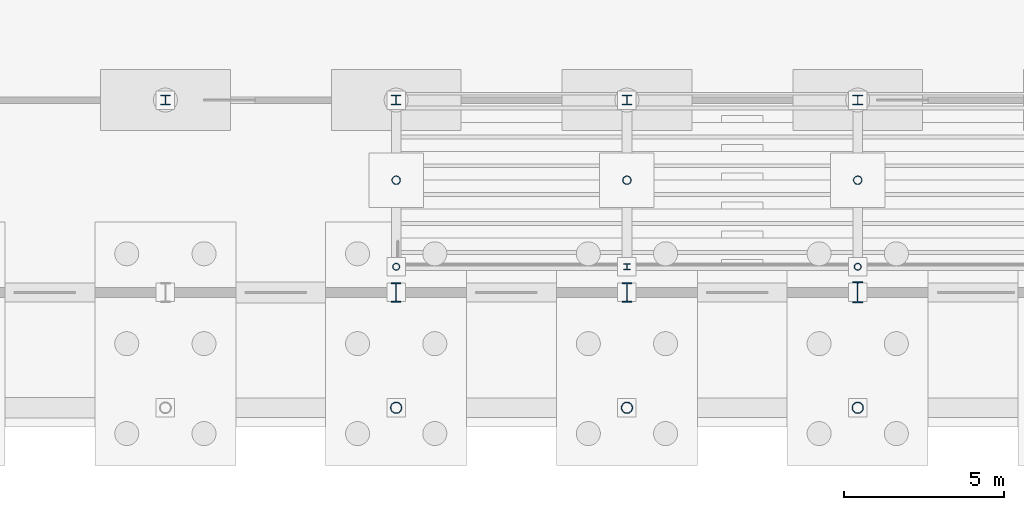
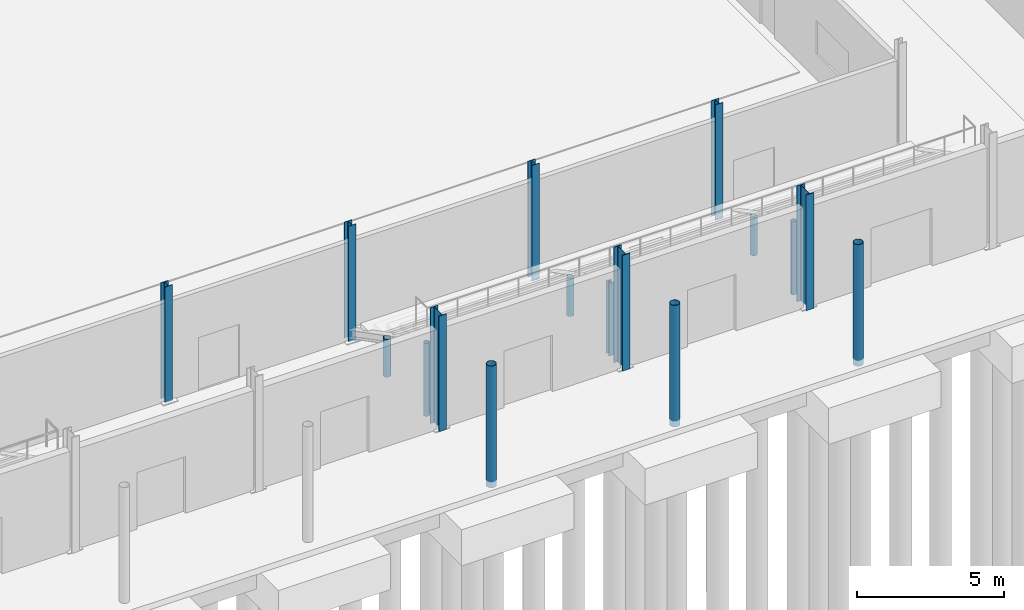
# One storey, part 7 of 101: 16 columns.
"""IFC4 building model written with IfcOpenShell, lengths in metres."""

from ifc_helpers import new_model, si_unit, derived_unit, direction, frame, origin, origin_2d, place, context, subcontext, project, spatial, hollow_circle, i_section, extrude, material, material_profile, profile_set, type_object, element, save


model = new_model("IFC4")

# Units and contexts
model_context = context("Model", 3, precision=1e-05, world=origin(), true_north=direction((0.0, 1.0)))
body_context = subcontext(model_context, "Body", "Model", "MODEL_VIEW")
ifc_project = project(units=[si_unit("LENGTHUNIT", "METRE"), si_unit("AREAUNIT", "SQUARE_METRE"), si_unit("VOLUMEUNIT", "CUBIC_METRE"), si_unit("PLANEANGLEUNIT", "RADIAN"), si_unit("MASSUNIT", "GRAM", prefix="KILO"), derived_unit("THERMALTRANSMITTANCEUNIT", [(si_unit("POWERUNIT", "WATT"), 1), (si_unit("LENGTHUNIT", "METRE"), -2), (si_unit("THERMODYNAMICTEMPERATUREUNIT", "KELVIN"), -1)])], contexts=[model_context])

# Site, building, storey
site_placement = place(None, origin())
site = spatial("IfcSite", under=ifc_project, at=site_placement, CompositionType="ELEMENT")
building_placement = place(site_placement, origin())
building = spatial("IfcBuilding", under=site, at=building_placement, Name="Keldorne Ridge Multi-Sports Centre", CompositionType="ELEMENT")
storey_placement = place(building_placement, origin())
storey = spatial("IfcBuildingStorey", under=building, at=storey_placement, Name="L00", CompositionType="ELEMENT", Elevation=0.0)

# Columns
ifc_material = material(Name="Steel S355", Category="steel")
ifc_material_profile_1 = material_profile(ifc_material, i_section(OverallWidth=0.300048828125, OverallDepth=0.60009765625, WebThickness=0.015380859375, FlangeThickness=0.030029296875, FilletRadius=0.027099609375, at=origin_2d()), Name="HEB 600")
ifc_profile_set_1 = profile_set([ifc_material_profile_1], Name="Steel S355")
column_type_1 = type_object("IfcColumnType", Name="COL-C-01", PredefinedType="COLUMN", material=ifc_profile_set_1)
for number, where, z_axis, x_axis, name in (
    (1, (49.199951171875, 9.60009765625, 0.0), (0.0, 0.0, 1.0), (1.0, 0.0, 0.0), "Structural column V1-HALL-S-07 on L00"),
    (2, (56.39990234375, 9.60009765625, 0.0), (0.0, 0.0, 1.0), (1.0, 0.0, 0.0), "Structural column V1-HALL-S-08 on L00"),
):
    element("IfcColumn", number, at=place(storey_placement, frame(where, z_axis=z_axis, x_axis=x_axis)), inside=storey, type_object=column_type_1, Name=name, PredefinedType="COLUMN", context=body_context, shape_type="SweptSolid", body=[
        extrude(i_section(OverallWidth=0.300048828125, OverallDepth=0.60009765625, WebThickness=0.015380859375, FlangeThickness=0.030029296875, FilletRadius=0.027099609375, at=origin_2d()), origin(), (0.0, 0.0, 1.0), 4.800048828125),
    ])
ifc_material_profile_2 = material_profile(ifc_material, hollow_circle(Radius=0.177734375, WallThickness=0.01611328125, at=origin_2d()), Name="CHS 355.6x16")
ifc_profile_set_2 = profile_set([ifc_material_profile_2], Name="Steel S355")
column_type_2 = type_object("IfcColumnType", Name="COL-C-03", PredefinedType="PILASTER", material=ifc_profile_set_2)
for number, where, z_axis, x_axis, name in (
    (3, (49.199951171875, 6.0, -0.25), (0.0, 0.0, 1.0), (1.0, 0.0, 0.0), "Structural column V1-COLN-07 on L00"),
    (4, (56.39990234375, 6.0, -0.25), (0.0, 0.0, 1.0), (1.0, 0.0, 0.0), "Structural column V1-COLN-08 on L00"),
    (5, (63.60009765625, 6.0, -0.25), (0.0, 0.0, 1.0), (1.0, 0.0, 0.0), "Structural column V1-COLN-09 on L00"),
):
    element("IfcColumn", number, at=place(storey_placement, frame(where, z_axis=z_axis, x_axis=x_axis)), inside=storey, type_object=column_type_2, Name=name, PredefinedType="PILASTER", context=body_context, shape_type="SweptSolid", body=[
        extrude(hollow_circle(Radius=0.177734375, WallThickness=0.01611328125, at=origin_2d()), origin(), (0.0, 0.0, 1.0), 5.050048828125),
    ])
ifc_material_profile_3 = material_profile(ifc_material, i_section(OverallWidth=0.300048828125, OverallDepth=0.300048828125, WebThickness=0.010986328125, FlangeThickness=0.01904296875, FilletRadius=0.027099609375, at=origin_2d()), Name="HEB 300")
ifc_profile_set_3 = profile_set([ifc_material_profile_3], Name="Steel S355")
column_type_3 = type_object("IfcColumnType", Name="COL-C-12", PredefinedType="COLUMN", material=ifc_profile_set_3)
for number, where, z_axis, x_axis, name in (
    (6, (42.0, 15.60009765625, 0.0), (0.0, 0.0, 1.0), (1.0, 0.0, 0.0), "Structural column V1-MEZZ-06 on L00"),
    (7, (49.199951171875, 15.60009765625, 0.0), (0.0, 0.0, 1.0), (1.0, 0.0, 0.0), "Structural column V1-MEZZ-07 on L00"),
    (8, (56.39990234375, 15.60009765625, 0.0), (0.0, 0.0, 1.0), (1.0, 0.0, 0.0), "Structural column V1-MEZZ-08 on L00"),
    (9, (63.60009765625, 15.60009765625, 0.0), (0.0, 0.0, 1.0), (1.0, 0.0, 0.0), "Structural column V1-MEZZ-09 on L00"),
):
    element("IfcColumn", number, at=place(storey_placement, frame(where, z_axis=z_axis, x_axis=x_axis)), inside=storey, type_object=column_type_3, Name=name, PredefinedType="COLUMN", context=body_context, shape_type="SweptSolid", body=[
        extrude(i_section(OverallWidth=0.300048828125, OverallDepth=0.300048828125, WebThickness=0.010986328125, FlangeThickness=0.01904296875, FilletRadius=0.027099609375, at=origin_2d()), origin(), (0.0, 0.0, 1.0), 4.800048828125),
    ])
ifc_material_profile_4 = material_profile(ifc_material, hollow_circle(Radius=0.109619140625, WallThickness=0.012451171875, at=origin_2d()), Name="CHS 219.1x12.5")
ifc_profile_set_4 = profile_set([ifc_material_profile_4], Name="Steel S355")
column_type_4 = type_object("IfcColumnType", Name="COL-C-26", PredefinedType="COLUMN", material=ifc_profile_set_4)
for number, where, z_axis, x_axis, name in (
    (10, (49.199951171875, 10.39990234375, 0.0), (0.0, 0.0, 1.0), (1.0, 0.0, 0.0), "Structural column V1-STDCOL-SOUTH-05 on L00"),
    (11, (63.60009765625, 10.39990234375, 0.0), (0.0, 0.0, 1.0), (1.0, 0.0, 0.0), "Structural column V1-STDCOL-SOUTH-07 on L00"),
):
    element("IfcColumn", number, at=place(storey_placement, frame(where, z_axis=z_axis, x_axis=x_axis)), inside=storey, type_object=column_type_4, Name=name, PredefinedType="COLUMN", context=body_context, shape_type="SweptSolid", body=[
        extrude(hollow_circle(Radius=0.109619140625, WallThickness=0.012451171875, at=origin_2d()), origin(), (0.0, 0.0, 1.0), 3.02001953125),
    ])
ifc_material_profile_5 = material_profile(ifc_material, i_section(OverallWidth=0.199951171875, OverallDepth=0.199951171875, WebThickness=0.009033203125, FlangeThickness=0.014892578125, FilletRadius=0.01806640625, at=origin_2d()), Name="HEB 200")
ifc_profile_set_5 = profile_set([ifc_material_profile_5], Name="Steel S355")
column_type_5 = type_object("IfcColumnType", Name="COL-C-31", PredefinedType="COLUMN", material=ifc_profile_set_5)
column_1_placement = place(storey_placement, frame((56.39990234375, 10.39990234375, 0.0), z_axis=(0.0, 0.0, 1.0), x_axis=(1.0, 0.0, 0.0)))
element("IfcColumn", 12, at=column_1_placement, inside=storey, type_object=column_type_5, Name="Structural column V1-STDCOL-SOUTH-06 on L00", PredefinedType="COLUMN", context=body_context, shape_type="SweptSolid", body=[
    extrude(i_section(OverallWidth=0.199951171875, OverallDepth=0.199951171875, WebThickness=0.009033203125, FlangeThickness=0.014892578125, FilletRadius=0.01806640625, at=origin_2d()), origin(), (0.0, 0.0, 1.0), 3.02001953125),
])
ifc_material_profile_6 = material_profile(ifc_material, i_section(OverallWidth=0.300048828125, OverallDepth=0.64990234375, WebThickness=0.01611328125, FlangeThickness=0.031005859375, FilletRadius=0.027099609375, at=origin_2d()), Name="HEB 650")
ifc_profile_set_6 = profile_set([ifc_material_profile_6], Name="Steel S355")
column_type_6 = type_object("IfcColumnType", Name="COL-C-38", PredefinedType="COLUMN", material=ifc_profile_set_6)
column_2_placement = place(storey_placement, frame((63.60009765625, 9.60009765625, 0.0), z_axis=(0.0, 0.0, 1.0), x_axis=(1.0, 0.0, 0.0)))
element("IfcColumn", 13, at=column_2_placement, inside=storey, type_object=column_type_6, Name="Structural column V1-HALL-S-09 on L00", PredefinedType="COLUMN", context=body_context, shape_type="SweptSolid", body=[
    extrude(i_section(OverallWidth=0.300048828125, OverallDepth=0.64990234375, WebThickness=0.01611328125, FlangeThickness=0.031005859375, FilletRadius=0.027099609375, at=origin_2d()), origin(), (0.0, 0.0, 1.0), 4.800048828125),
])
ifc_material_profile_7 = material_profile(ifc_material, hollow_circle(Radius=0.133544921875, WallThickness=0.012451171875, at=origin_2d()), Name="CHS 267x12.5")
ifc_profile_set_7 = profile_set([ifc_material_profile_7], Name="Steel S355")
column_type_7 = type_object("IfcColumnType", Name="COL-C-41", PredefinedType="COLUMN", material=ifc_profile_set_7)
for number, where, z_axis, x_axis, name in (
    (14, (49.199951171875, 13.10009765625, 0.0), (0.0, 0.0, 1.0), (1.0, 0.0, 0.0), "Structural column V1-STDMID-SOUTH-05 on L00"),
    (15, (56.39990234375, 13.10009765625, 0.0), (0.0, 0.0, 1.0), (1.0, 0.0, 0.0), "Structural column V1-STDMID-SOUTH-06 on L00"),
    (16, (63.60009765625, 13.10009765625, 0.0), (0.0, 0.0, 1.0), (1.0, 0.0, 0.0), "Structural column V1-STDMID-SOUTH-07 on L00"),
):
    element("IfcColumn", number, at=place(storey_placement, frame(where, z_axis=z_axis, x_axis=x_axis)), inside=storey, type_object=column_type_7, Name=name, PredefinedType="COLUMN", context=body_context, shape_type="SweptSolid", body=[
        extrude(hollow_circle(Radius=0.133544921875, WallThickness=0.012451171875, at=origin_2d()), origin(), (0.0, 0.0, 1.0), 1.580078125),
    ])

save(model, "model.ifc")
